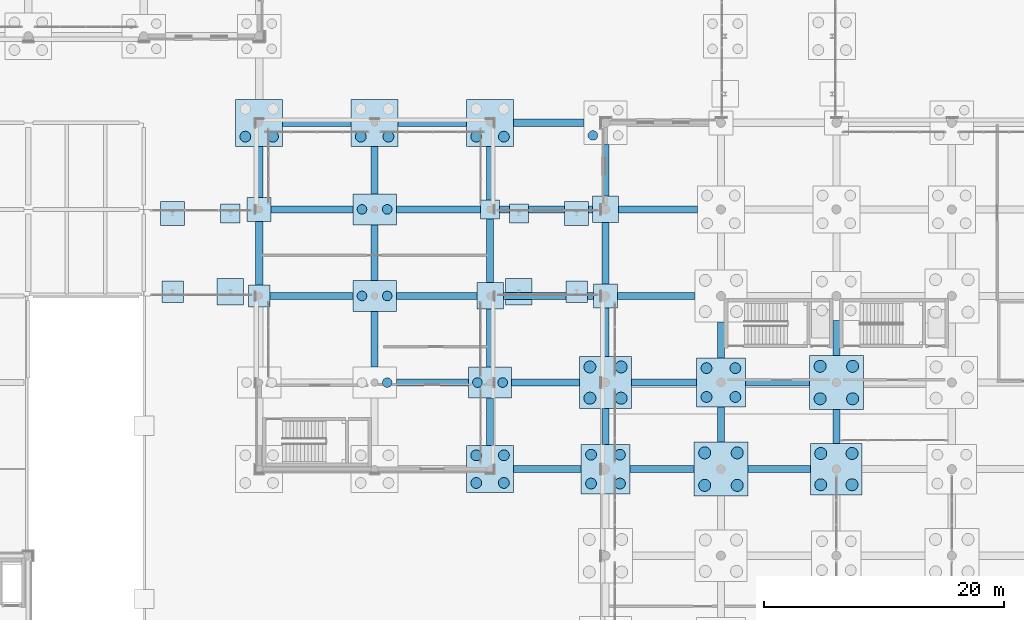
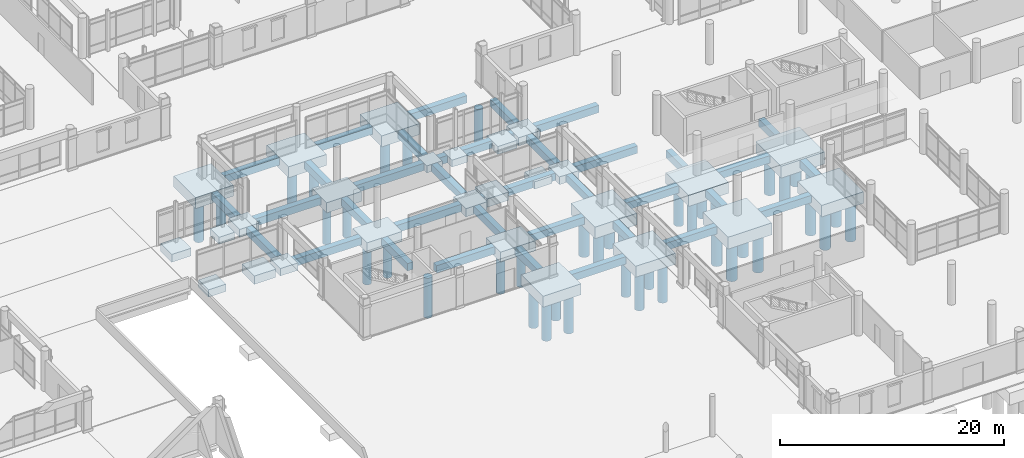
# One storey, part 2 of 196: 62 footings, 42 piles.
"""IFC4 building model written with IfcOpenShell, lengths in metres."""

from ifc_helpers import new_model, si_unit, direction, frame, origin, origin_2d, place, context, subcontext, project, spatial, rectangle, circle, extrude, material, material_profile, profile_set, type_object, element, save


model = new_model("IFC4")

# Units and contexts
model_context = context("Model", 3, precision=1e-05, world=origin(), true_north=direction((0.0, 1.0)))
body_context = subcontext(model_context, "Body", "Model", "MODEL_VIEW")
ifc_project = project(units=[si_unit("LENGTHUNIT", "METRE"), si_unit("AREAUNIT", "SQUARE_METRE"), si_unit("VOLUMEUNIT", "CUBIC_METRE"), si_unit("PLANEANGLEUNIT", "RADIAN"), si_unit("MASSUNIT", "GRAM", prefix="KILO")], contexts=[model_context])

# Site, building, storey
site_placement = place(None, origin())
site = spatial("IfcSite", under=ifc_project, at=site_placement, CompositionType="ELEMENT")
building_placement = place(site_placement, origin())
building = spatial("IfcBuilding", under=site, at=building_placement, Name="Asteropetra Specialist Clinic", CompositionType="ELEMENT")
storey_placement = place(building_placement, origin())
storey = spatial("IfcBuildingStorey", under=building, at=storey_placement, Name="L00", CompositionType="ELEMENT", Elevation=0.0)

# Footings
ifc_material_1 = material(Name="Concrete C35/45", Category="concrete")
ifc_material_profile_1 = material_profile(ifc_material_1, rectangle(XDim=0.60009765625, YDim=0.800048828125, at=origin_2d()), Name="FB 600x800")
ifc_profile_set_1 = profile_set([ifc_material_profile_1], Name="Concrete C35/45")
footing_type_1 = type_object("IfcFootingType", Name="FB-600x800", PredefinedType="FOOTING_BEAM", material=ifc_profile_set_1)
footing_1_placement = place(storey_placement, frame((77.699951171875, 48.0, -0.840087890625), z_axis=(1.0, 0.0, 0.0), x_axis=(0.0, 1.0, 0.0)))
element("IfcFooting", 1, at=footing_1_placement, inside=storey, type_object=footing_type_1, Name="Footing Tie Beam FB-0241", PredefinedType="FOOTING_BEAM", context=body_context, shape_type="SweptSolid", body=[
    extrude(rectangle(XDim=0.60009765625, YDim=0.800048828125, at=origin_2d()), origin(), (0.0, 0.0, 1.0), 6.900146484375),
])
footing_2_placement = place(storey_placement, frame((76.800048828125, 48.89990234375, -0.840087890625), z_axis=(0.0, 1.0, 0.0), x_axis=(-1.0, 0.0, 0.0)))
element("IfcFooting", 2, at=footing_2_placement, inside=storey, type_object=footing_type_1, Name="Footing Tie Beam FB-0242", PredefinedType="FOOTING_BEAM", context=body_context, shape_type="SweptSolid", body=[
    extrude(rectangle(XDim=0.60009765625, YDim=0.800048828125, at=origin_2d()), origin(), (0.0, 0.0, 1.0), 5.300048828125),
])
footing_3_placement = place(storey_placement, frame((77.800048828125, 55.199951171875, -0.840087890625), z_axis=(1.0, 0.0, 0.0), x_axis=(0.0, 1.0, 0.0)))
element("IfcFooting", 3, at=footing_3_placement, inside=storey, type_object=footing_type_1, Name="Footing Tie Beam FB-0243", PredefinedType="FOOTING_BEAM", context=body_context, shape_type="SweptSolid", body=[
    extrude(rectangle(XDim=0.60009765625, YDim=0.800048828125, at=origin_2d()), origin(), (0.0, 0.0, 1.0), 6.800048828125),
])
footing_4_placement = place(storey_placement, frame((76.800048828125, 56.199951171875, -0.840087890625), z_axis=(0.0, 1.0, 0.0), x_axis=(-1.0, 0.0, 0.0)))
element("IfcFooting", 4, at=footing_4_placement, inside=storey, type_object=footing_type_1, Name="Footing Tie Beam FB-0244", PredefinedType="FOOTING_BEAM", context=body_context, shape_type="SweptSolid", body=[
    extrude(rectangle(XDim=0.60009765625, YDim=0.800048828125, at=origin_2d()), origin(), (0.0, 0.0, 1.0), 4.25),
])
footing_5_placement = place(storey_placement, frame((78.75, 62.39990234375, -0.840087890625), z_axis=(1.0, 0.0, 0.0), x_axis=(0.0, 1.0, 0.0)))
element("IfcFooting", 5, at=footing_5_placement, inside=storey, type_object=footing_type_1, Name="Footing Tie Beam FB-0245", PredefinedType="FOOTING_BEAM", context=body_context, shape_type="SweptSolid", body=[
    extrude(rectangle(XDim=0.60009765625, YDim=0.800048828125, at=origin_2d()), origin(), (0.0, 0.0, 1.0), 5.699951171875),
])
footing_6_placement = place(storey_placement, frame((88.199951171875, 40.800048828125, -0.840087890625), z_axis=(1.0, 0.0, 0.0), x_axis=(0.0, 1.0, 0.0)))
element("IfcFooting", 6, at=footing_6_placement, inside=storey, type_object=footing_type_1, Name="Footing Tie Beam FB-0263", PredefinedType="FOOTING_BEAM", context=body_context, shape_type="SweptSolid", body=[
    extrude(rectangle(XDim=0.60009765625, YDim=0.800048828125, at=origin_2d()), origin(), (0.0, 0.0, 1.0), 6.0),
])
footing_7_placement = place(storey_placement, frame((86.39990234375, 42.10009765625, -0.840087890625), z_axis=(0.0, 1.0, 0.0), x_axis=(-1.0, 0.0, 0.0)))
element("IfcFooting", 7, at=footing_7_placement, inside=storey, type_object=footing_type_1, Name="Footing Tie Beam FB-0264", PredefinedType="FOOTING_BEAM", context=body_context, shape_type="SweptSolid", body=[
    extrude(rectangle(XDim=0.60009765625, YDim=0.800048828125, at=origin_2d()), origin(), (0.0, 0.0, 1.0), 4.599853515625),
])
footing_8_placement = place(storey_placement, frame((88.199951171875, 48.0, -0.840087890625), z_axis=(1.0, 0.0, 0.0), x_axis=(0.0, 1.0, 0.0)))
element("IfcFooting", 8, at=footing_8_placement, inside=storey, type_object=footing_type_1, Name="Footing Tie Beam FB-0265", PredefinedType="FOOTING_BEAM", context=body_context, shape_type="SweptSolid", body=[
    extrude(rectangle(XDim=0.60009765625, YDim=0.800048828125, at=origin_2d()), origin(), (0.0, 0.0, 1.0), 6.699951171875),
])
footing_9_placement = place(storey_placement, frame((86.39990234375, 49.300048828125, -0.840087890625), z_axis=(0.0, 1.0, 0.0), x_axis=(-1.0, 0.0, 0.0)))
element("IfcFooting", 9, at=footing_9_placement, inside=storey, type_object=footing_type_1, Name="Footing Tie Beam FB-0266", PredefinedType="FOOTING_BEAM", context=body_context, shape_type="SweptSolid", body=[
    extrude(rectangle(XDim=0.60009765625, YDim=0.800048828125, at=origin_2d()), origin(), (0.0, 0.0, 1.0), 4.599853515625),
])
footing_10_placement = place(storey_placement, frame((88.199951171875, 55.199951171875, -0.840087890625), z_axis=(1.0, 0.0, 0.0), x_axis=(0.0, 1.0, 0.0)))
element("IfcFooting", 10, at=footing_10_placement, inside=storey, type_object=footing_type_1, Name="Footing Tie Beam FB-0267", PredefinedType="FOOTING_BEAM", context=body_context, shape_type="SweptSolid", body=[
    extrude(rectangle(XDim=0.60009765625, YDim=0.800048828125, at=origin_2d()), origin(), (0.0, 0.0, 1.0), 7.0),
])
footing_11_placement = place(storey_placement, frame((86.39990234375, 56.5, -0.840087890625), z_axis=(0.0, 1.0, 0.0), x_axis=(-1.0, 0.0, 0.0)))
element("IfcFooting", 11, at=footing_11_placement, inside=storey, type_object=footing_type_1, Name="Footing Tie Beam FB-0268", PredefinedType="FOOTING_BEAM", context=body_context, shape_type="SweptSolid", body=[
    extrude(rectangle(XDim=0.60009765625, YDim=0.800048828125, at=origin_2d()), origin(), (0.0, 0.0, 1.0), 3.949951171875),
])
footing_12_placement = place(storey_placement, frame((88.35009765625, 62.39990234375, -0.840087890625), z_axis=(1.0, 0.0, 0.0), x_axis=(0.0, 1.0, 0.0)))
element("IfcFooting", 12, at=footing_12_placement, inside=storey, type_object=footing_type_1, Name="Footing Tie Beam FB-0269", PredefinedType="FOOTING_BEAM", context=body_context, shape_type="SweptSolid", body=[
    extrude(rectangle(XDim=0.60009765625, YDim=0.800048828125, at=origin_2d()), origin(), (0.0, 0.0, 1.0), 5.699951171875),
])
footing_13_placement = place(storey_placement, frame((97.949951171875, 33.60009765625, -0.840087890625), z_axis=(1.0, 0.0, 0.0), x_axis=(0.0, 1.0, 0.0)))
element("IfcFooting", 13, at=footing_13_placement, inside=storey, type_object=footing_type_1, Name="Footing Tie Beam FB-0280", PredefinedType="FOOTING_BEAM", context=body_context, shape_type="SweptSolid", body=[
    extrude(rectangle(XDim=0.60009765625, YDim=0.800048828125, at=origin_2d()), origin(), (0.0, 0.0, 1.0), 5.60009765625),
])
footing_14_placement = place(storey_placement, frame((96.0, 35.550048828125, -0.840087890625), z_axis=(0.0, 1.0, 0.0), x_axis=(-1.0, 0.0, 0.0)))
element("IfcFooting", 14, at=footing_14_placement, inside=storey, type_object=footing_type_1, Name="Footing Tie Beam FB-0281", PredefinedType="FOOTING_BEAM", context=body_context, shape_type="SweptSolid", body=[
    extrude(rectangle(XDim=0.60009765625, YDim=0.800048828125, at=origin_2d()), origin(), (0.0, 0.0, 1.0), 3.949951171875),
])
footing_15_placement = place(storey_placement, frame((97.800048828125, 40.800048828125, -0.840087890625), z_axis=(1.0, 0.0, 0.0), x_axis=(0.0, 1.0, 0.0)))
element("IfcFooting", 15, at=footing_15_placement, inside=storey, type_object=footing_type_1, Name="Footing Tie Beam FB-0282", PredefinedType="FOOTING_BEAM", context=body_context, shape_type="SweptSolid", body=[
    extrude(rectangle(XDim=0.60009765625, YDim=0.800048828125, at=origin_2d()), origin(), (0.0, 0.0, 1.0), 5.64990234375),
])
footing_16_placement = place(storey_placement, frame((96.0, 42.10009765625, -0.840087890625), z_axis=(0.0, 1.0, 0.0), x_axis=(-1.0, 0.0, 0.0)))
element("IfcFooting", 16, at=footing_16_placement, inside=storey, type_object=footing_type_1, Name="Footing Tie Beam FB-0283", PredefinedType="FOOTING_BEAM", context=body_context, shape_type="SweptSolid", body=[
    extrude(rectangle(XDim=0.60009765625, YDim=0.800048828125, at=origin_2d()), origin(), (0.0, 0.0, 1.0), 4.7998046875),
])
footing_17_placement = place(storey_placement, frame((97.10009765625, 48.0, -0.840087890625), z_axis=(1.0, 0.0, 0.0), x_axis=(0.0, 1.0, 0.0)))
element("IfcFooting", 17, at=footing_17_placement, inside=storey, type_object=footing_type_1, Name="Footing Tie Beam FB-0284", PredefinedType="FOOTING_BEAM", context=body_context, shape_type="SweptSolid", body=[
    extrude(rectangle(XDim=0.60009765625, YDim=0.800048828125, at=origin_2d()), origin(), (0.0, 0.0, 1.0), 7.5),
])
footing_18_placement = place(storey_placement, frame((96.0, 49.10009765625, -0.840087890625), z_axis=(0.0, 1.0, 0.0), x_axis=(-1.0, 0.0, 0.0)))
element("IfcFooting", 18, at=footing_18_placement, inside=storey, type_object=footing_type_1, Name="Footing Tie Beam FB-0285", PredefinedType="FOOTING_BEAM", context=body_context, shape_type="SweptSolid", body=[
    extrude(rectangle(XDim=0.60009765625, YDim=0.800048828125, at=origin_2d()), origin(), (0.0, 0.0, 1.0), 5.2998046875),
])
footing_19_placement = place(storey_placement, frame((96.800048828125, 55.199951171875, -0.840087890625), z_axis=(1.0, 0.0, 0.0), x_axis=(0.0, 1.0, 0.0)))
element("IfcFooting", 19, at=footing_19_placement, inside=storey, type_object=footing_type_1, Name="Footing Tie Beam FB-0286", PredefinedType="FOOTING_BEAM", context=body_context, shape_type="SweptSolid", body=[
    extrude(rectangle(XDim=0.60009765625, YDim=0.800048828125, at=origin_2d()), origin(), (0.0, 0.0, 1.0), 7.699951171875),
])
footing_20_placement = place(storey_placement, frame((96.0, 56.0, -0.840087890625), z_axis=(0.0, 1.0, 0.0), x_axis=(-1.0, 0.0, 0.0)))
element("IfcFooting", 20, at=footing_20_placement, inside=storey, type_object=footing_type_1, Name="Footing Tie Beam FB-0287", PredefinedType="FOOTING_BEAM", context=body_context, shape_type="SweptSolid", body=[
    extrude(rectangle(XDim=0.60009765625, YDim=0.800048828125, at=origin_2d()), origin(), (0.0, 0.0, 1.0), 4.449951171875),
])
footing_21_placement = place(storey_placement, frame((97.949951171875, 62.39990234375, -0.840087890625), z_axis=(1.0, 0.0, 0.0), x_axis=(0.0, 1.0, 0.0)))
element("IfcFooting", 21, at=footing_21_placement, inside=storey, type_object=footing_type_1, Name="Footing Tie Beam FB-0288", PredefinedType="FOOTING_BEAM", context=body_context, shape_type="SweptSolid", body=[
    extrude(rectangle(XDim=0.60009765625, YDim=0.800048828125, at=origin_2d()), origin(), (0.0, 0.0, 1.0), 5.85009765625),
])
footing_22_placement = place(storey_placement, frame((107.64990234375, 33.60009765625, -0.840087890625), z_axis=(1.0, 0.0, 0.0), x_axis=(0.0, 1.0, 0.0)))
element("IfcFooting", 22, at=footing_22_placement, inside=storey, type_object=footing_type_1, Name="Footing Tie Beam FB-0306", PredefinedType="FOOTING_BEAM", context=body_context, shape_type="SweptSolid", body=[
    extrude(rectangle(XDim=0.60009765625, YDim=0.800048828125, at=origin_2d()), origin(), (0.0, 0.0, 1.0), 5.300048828125),
])
footing_23_placement = place(storey_placement, frame((105.60009765625, 35.64990234375, -0.840087890625), z_axis=(0.0, 1.0, 0.0), x_axis=(-1.0, 0.0, 0.0)))
element("IfcFooting", 23, at=footing_23_placement, inside=storey, type_object=footing_type_1, Name="Footing Tie Beam FB-0307", PredefinedType="FOOTING_BEAM", context=body_context, shape_type="SweptSolid", body=[
    extrude(rectangle(XDim=0.60009765625, YDim=0.800048828125, at=origin_2d()), origin(), (0.0, 0.0, 1.0), 3.0),
])
footing_24_placement = place(storey_placement, frame((107.75, 40.800048828125, -0.840087890625), z_axis=(1.0, 0.0, 0.0), x_axis=(0.0, 1.0, 0.0)))
element("IfcFooting", 24, at=footing_24_placement, inside=storey, type_object=footing_type_1, Name="Footing Tie Beam FB-0308", PredefinedType="FOOTING_BEAM", context=body_context, shape_type="SweptSolid", body=[
    extrude(rectangle(XDim=0.60009765625, YDim=0.800048828125, at=origin_2d()), origin(), (0.0, 0.0, 1.0), 5.39990234375),
])
footing_25_placement = place(storey_placement, frame((105.60009765625, 42.949951171875, -0.840087890625), z_axis=(0.0, 1.0, 0.0), x_axis=(-1.0, 0.0, 0.0)))
element("IfcFooting", 25, at=footing_25_placement, inside=storey, type_object=footing_type_1, Name="Footing Tie Beam FB-0309", PredefinedType="FOOTING_BEAM", context=body_context, shape_type="SweptSolid", body=[
    extrude(rectangle(XDim=0.60009765625, YDim=0.800048828125, at=origin_2d()), origin(), (0.0, 0.0, 1.0), 4.050048828125),
])
footing_26_placement = place(storey_placement, frame((106.60009765625, 48.0, -0.840087890625), z_axis=(1.0, 0.0, 0.0), x_axis=(0.0, 1.0, 0.0)))
element("IfcFooting", 26, at=footing_26_placement, inside=storey, type_object=footing_type_1, Name="Footing Tie Beam FB-0310", PredefinedType="FOOTING_BEAM", context=body_context, shape_type="SweptSolid", body=[
    extrude(rectangle(XDim=0.60009765625, YDim=0.800048828125, at=origin_2d()), origin(), (0.0, 0.0, 1.0), 6.449951171875),
])
footing_27_placement = place(storey_placement, frame((105.60009765625, 49.0, -0.840087890625), z_axis=(0.0, 1.0, 0.0), x_axis=(-1.0, 0.0, 0.0)))
element("IfcFooting", 27, at=footing_27_placement, inside=storey, type_object=footing_type_1, Name="Footing Tie Beam FB-0311", PredefinedType="FOOTING_BEAM", context=body_context, shape_type="SweptSolid", body=[
    extrude(rectangle(XDim=0.60009765625, YDim=0.800048828125, at=origin_2d()), origin(), (0.0, 0.0, 1.0), 5.10009765625),
])
footing_28_placement = place(storey_placement, frame((106.699951171875, 55.199951171875, -0.840087890625), z_axis=(1.0, 0.0, 0.0), x_axis=(0.0, 1.0, 0.0)))
element("IfcFooting", 28, at=footing_28_placement, inside=storey, type_object=footing_type_1, Name="Footing Tie Beam FB-0312", PredefinedType="FOOTING_BEAM", context=body_context, shape_type="SweptSolid", body=[
    extrude(rectangle(XDim=0.60009765625, YDim=0.800048828125, at=origin_2d()), origin(), (0.0, 0.0, 1.0), 6.550048828125),
])
footing_29_placement = place(storey_placement, frame((105.60009765625, 56.300048828125, -0.840087890625), z_axis=(0.0, 1.0, 0.0), x_axis=(-1.0, 0.0, 0.0)))
element("IfcFooting", 29, at=footing_29_placement, inside=storey, type_object=footing_type_1, Name="Footing Tie Beam FB-0313", PredefinedType="FOOTING_BEAM", context=body_context, shape_type="SweptSolid", body=[
    extrude(rectangle(XDim=0.60009765625, YDim=0.800048828125, at=origin_2d()), origin(), (0.0, 0.0, 1.0), 4.300048828125),
])
footing_30_placement = place(storey_placement, frame((117.449951171875, 33.60009765625, -0.840087890625), z_axis=(1.0, 0.0, 0.0), x_axis=(0.0, 1.0, 0.0)))
element("IfcFooting", 30, at=footing_30_placement, inside=storey, type_object=footing_type_1, Name="Footing Tie Beam FB-0330", PredefinedType="FOOTING_BEAM", context=body_context, shape_type="SweptSolid", body=[
    extrude(rectangle(XDim=0.60009765625, YDim=0.800048828125, at=origin_2d()), origin(), (0.0, 0.0, 1.0), 5.199951171875),
])
footing_31_placement = place(storey_placement, frame((115.199951171875, 35.85009765625, -0.840087890625), z_axis=(0.0, 1.0, 0.0), x_axis=(-1.0, 0.0, 0.0)))
element("IfcFooting", 31, at=footing_31_placement, inside=storey, type_object=footing_type_1, Name="Footing Tie Beam FB-0331", PredefinedType="FOOTING_BEAM", context=body_context, shape_type="SweptSolid", body=[
    extrude(rectangle(XDim=0.60009765625, YDim=0.800048828125, at=origin_2d()), origin(), (0.0, 0.0, 1.0), 2.89990234375),
])
footing_32_placement = place(storey_placement, frame((117.25, 40.800048828125, -0.840087890625), z_axis=(1.0, 0.0, 0.0), x_axis=(0.0, 1.0, 0.0)))
element("IfcFooting", 32, at=footing_32_placement, inside=storey, type_object=footing_type_1, Name="Footing Tie Beam FB-0332", PredefinedType="FOOTING_BEAM", context=body_context, shape_type="SweptSolid", body=[
    extrude(rectangle(XDim=0.60009765625, YDim=0.800048828125, at=origin_2d()), origin(), (0.0, 0.0, 1.0), 5.300048828125),
])
footing_33_placement = place(storey_placement, frame((115.199951171875, 42.85009765625, -0.840087890625), z_axis=(0.0, 1.0, 0.0), x_axis=(-1.0, 0.0, 0.0)))
element("IfcFooting", 33, at=footing_33_placement, inside=storey, type_object=footing_type_1, Name="Footing Tie Beam FB-0333", PredefinedType="FOOTING_BEAM", context=body_context, shape_type="SweptSolid", body=[
    extrude(rectangle(XDim=0.60009765625, YDim=0.800048828125, at=origin_2d()), origin(), (0.0, 0.0, 1.0), 3.0),
])
footing_34_placement = place(storey_placement, frame((124.800048828125, 35.75, -0.840087890625), z_axis=(0.0, 1.0, 0.0), x_axis=(-1.0, 0.0, 0.0)))
element("IfcFooting", 34, at=footing_34_placement, inside=storey, type_object=footing_type_1, Name="Footing Tie Beam FB-0355", PredefinedType="FOOTING_BEAM", context=body_context, shape_type="SweptSolid", body=[
    extrude(rectangle(XDim=0.60009765625, YDim=0.800048828125, at=origin_2d()), origin(), (0.0, 0.0, 1.0), 2.800048828125),
])
footing_35_placement = place(storey_placement, frame((124.800048828125, 43.050048828125, -0.840087890625), z_axis=(0.0, 1.0, 0.0), x_axis=(-1.0, 0.0, 0.0)))
element("IfcFooting", 35, at=footing_35_placement, inside=storey, type_object=footing_type_1, Name="Footing Tie Beam FB-0357", PredefinedType="FOOTING_BEAM", context=body_context, shape_type="SweptSolid", body=[
    extrude(rectangle(XDim=0.60009765625, YDim=0.800048828125, at=origin_2d()), origin(), (0.0, 0.0, 1.0), 2.89990234375),
])
ifc_material_2 = material(Name="Concrete C35/45", Category="concrete")
footing_type_2 = type_object("IfcFootingType", Name="PC-2600", PredefinedType="PILE_CAP", material=ifc_material_2)
for number, where, z_axis, x_axis, name in (
    (36, (86.39990234375, 48.0, -1.5400390625), (0.0, 0.0, 1.0), (1.0, 0.0, 0.0), "Pile Cap PC-01-173"),
    (37, (86.39990234375, 55.199951171875, -1.5400390625), (0.0, 0.0, 1.0), (1.0, 0.0, 0.0), "Pile Cap PC-01-174"),
    (38, (96.0, 40.800048828125, -1.5400390625), (0.0, 0.0, 1.0), (1.0, 0.0, 0.0), "Pile Cap PC-01-186"),
):
    element("IfcFooting", number, at=place(storey_placement, frame(where, z_axis=z_axis, x_axis=x_axis)), inside=storey, type_object=footing_type_2, Name=name, PredefinedType="PILE_CAP", context=body_context, shape_type="SweptSolid", body=[
        extrude(rectangle(XDim=3.60009765625, YDim=2.60009765625, at=origin_2d()), origin(), (0.0, 0.0, 1.0), 1.10009765625),
    ])
ifc_material_3 = material(Name="Concrete C35/45", Category="concrete")
footing_type_3 = type_object("IfcFootingType", Name="PC-3000", PredefinedType="PILE_CAP", material=ifc_material_3)
for number, where, z_axis, x_axis, name in (
    (39, (76.800048828125, 62.39990234375, -1.64013671875), (0.0, 0.0, 1.0), (1.0, 0.0, 0.0), "Pile Cap PC-03-155"),
    (40, (86.39990234375, 62.39990234375, -1.64013671875), (0.0, 0.0, 1.0), (1.0, 0.0, 0.0), "Pile Cap PC-03-175"),
    (41, (96.0, 33.60009765625, -1.64013671875), (0.0, 0.0, 1.0), (1.0, 0.0, 0.0), "Pile Cap PC-03-185"),
    (42, (96.0, 62.39990234375, -1.64013671875), (0.0, 0.0, 1.0), (1.0, 0.0, 0.0), "Pile Cap PC-03-189"),
):
    element("IfcFooting", number, at=place(storey_placement, frame(where, z_axis=z_axis, x_axis=x_axis)), inside=storey, type_object=footing_type_3, Name=name, PredefinedType="PILE_CAP", context=body_context, shape_type="SweptSolid", body=[
        extrude(rectangle(XDim=3.89990234375, YDim=3.89990234375, at=origin_2d()), origin(), (0.0, 0.0, 1.0), 1.199951171875),
    ])
ifc_material_4 = material(Name="Concrete C35/45", Category="concrete")
footing_type_4 = type_object("IfcFootingType", Name="PC-3200", PredefinedType="PILE_CAP", material=ifc_material_4)
for number, where, z_axis, x_axis, name in (
    (43, (105.60009765625, 33.60009765625, -1.64013671875), (0.0, 0.0, 1.0), (1.0, 0.0, 0.0), "Pile Cap PC-04-204"),
    (44, (115.199951171875, 40.800048828125, -1.64013671875), (0.0, 0.0, 1.0), (1.0, 0.0, 0.0), "Pile Cap PC-04-219"),
):
    element("IfcFooting", number, at=place(storey_placement, frame(where, z_axis=z_axis, x_axis=x_axis)), inside=storey, type_object=footing_type_4, Name=name, PredefinedType="PILE_CAP", context=body_context, shape_type="SweptSolid", body=[
        extrude(rectangle(XDim=4.10009765625, YDim=4.10009765625, at=origin_2d()), origin(), (0.0, 0.0, 1.0), 1.199951171875),
    ])
ifc_material_5 = material(Name="Concrete C35/45", Category="concrete")
footing_type_5 = type_object("IfcFootingType", Name="PC-3400", PredefinedType="PILE_CAP", material=ifc_material_5)
for number, where, z_axis, x_axis, name in (
    (45, (105.60009765625, 40.800048828125, -1.68994140625), (0.0, 0.0, 1.0), (1.0, 0.0, 0.0), "Pile Cap PC-05-205"),
    (46, (124.800048828125, 33.60009765625, -1.68994140625), (0.0, 0.0, 1.0), (1.0, 0.0, 0.0), "Pile Cap PC-05-238"),
):
    element("IfcFooting", number, at=place(storey_placement, frame(where, z_axis=z_axis, x_axis=x_axis)), inside=storey, type_object=footing_type_5, Name=name, PredefinedType="PILE_CAP", context=body_context, shape_type="SweptSolid", body=[
        extrude(rectangle(XDim=4.300048828125, YDim=4.300048828125, at=origin_2d()), origin(), (0.0, 0.0, 1.0), 1.25),
    ])
ifc_material_6 = material(Name="Concrete C35/45", Category="concrete")
footing_type_6 = type_object("IfcFootingType", Name="PC-3600", PredefinedType="PILE_CAP", material=ifc_material_6)
for number, where, z_axis, x_axis, name in (
    (47, (115.199951171875, 33.60009765625, -1.740234375), (0.0, 0.0, 1.0), (1.0, 0.0, 0.0), "Pile Cap PC-06-218"),
    (48, (124.800048828125, 40.800048828125, -1.740234375), (0.0, 0.0, 1.0), (1.0, 0.0, 0.0), "Pile Cap PC-06-239"),
):
    element("IfcFooting", number, at=place(storey_placement, frame(where, z_axis=z_axis, x_axis=x_axis)), inside=storey, type_object=footing_type_6, Name=name, PredefinedType="PILE_CAP", context=body_context, shape_type="SweptSolid", body=[
        extrude(rectangle(XDim=4.5, YDim=4.5, at=origin_2d()), origin(), (0.0, 0.0, 1.0), 1.300048828125),
    ])
ifc_material_7 = material(Name="Concrete C35/45", Category="concrete")
footing_type_7 = type_object("IfcFootingType", Name="PF-1600", PredefinedType="PAD_FOOTING", material=ifc_material_7)
for number, where, z_axis, x_axis, name in (
    (49, (74.39990234375, 54.85009765625, -1.18994140625), (0.0, 0.0, 1.0), (1.0, 0.0, 0.0), "Pad Footing PF-01-148"),
    (50, (96.0, 55.199951171875, -1.18994140625), (0.0, 0.0, 1.0), (1.0, 0.0, 0.0), "Pad Footing PF-01-188"),
    (51, (98.39990234375, 54.85009765625, -1.18994140625), (0.0, 0.0, 1.0), (1.0, 0.0, 0.0), "Pad Footing PF-01-196"),
):
    element("IfcFooting", number, at=place(storey_placement, frame(where, z_axis=z_axis, x_axis=x_axis)), inside=storey, type_object=footing_type_7, Name=name, PredefinedType="PAD_FOOTING", context=body_context, shape_type="SweptSolid", body=[
        extrude(rectangle(XDim=1.60009765625, YDim=1.60009765625, at=origin_2d()), origin(), (0.0, 0.0, 1.0), 0.75),
    ])
ifc_material_8 = material(Name="Concrete C35/45", Category="concrete")
footing_type_8 = type_object("IfcFootingType", Name="PF-1800", PredefinedType="PAD_FOOTING", material=ifc_material_8)
for number, where, z_axis, x_axis, name in (
    (52, (69.60009765625, 48.35009765625, -1.240234375), (0.0, 0.0, 1.0), (1.0, 0.0, 0.0), "Pad Footing PF-02-145"),
    (53, (76.800048828125, 48.0, -1.240234375), (0.0, 0.0, 1.0), (1.0, 0.0, 0.0), "Pad Footing PF-02-153"),
    (54, (103.199951171875, 48.35009765625, -1.240234375), (0.0, 0.0, 1.0), (1.0, 0.0, 0.0), "Pad Footing PF-02-197"),
):
    element("IfcFooting", number, at=place(storey_placement, frame(where, z_axis=z_axis, x_axis=x_axis)), inside=storey, type_object=footing_type_8, Name=name, PredefinedType="PAD_FOOTING", context=body_context, shape_type="SweptSolid", body=[
        extrude(rectangle(XDim=1.800048828125, YDim=1.800048828125, at=origin_2d()), origin(), (0.0, 0.0, 1.0), 0.800048828125),
    ])
ifc_material_9 = material(Name="Concrete C35/45", Category="concrete")
footing_type_9 = type_object("IfcFootingType", Name="PF-2000", PredefinedType="PAD_FOOTING", material=ifc_material_9)
for number, where, z_axis, x_axis, name in (
    (55, (69.60009765625, 54.85009765625, -1.2900390625), (0.0, 0.0, 1.0), (1.0, 0.0, 0.0), "Pad Footing PF-03-146"),
    (56, (76.800048828125, 55.199951171875, -1.2900390625), (0.0, 0.0, 1.0), (1.0, 0.0, 0.0), "Pad Footing PF-03-154"),
    (57, (103.199951171875, 54.85009765625, -1.2900390625), (0.0, 0.0, 1.0), (1.0, 0.0, 0.0), "Pad Footing PF-03-198"),
    (58, (105.60009765625, 48.0, -1.2900390625), (0.0, 0.0, 1.0), (1.0, 0.0, 0.0), "Pad Footing PF-03-206"),
):
    element("IfcFooting", number, at=place(storey_placement, frame(where, z_axis=z_axis, x_axis=x_axis)), inside=storey, type_object=footing_type_9, Name=name, PredefinedType="PAD_FOOTING", context=body_context, shape_type="SweptSolid", body=[
        extrude(rectangle(XDim=2.0, YDim=2.0, at=origin_2d()), origin(), (0.0, 0.0, 1.0), 0.85009765625),
    ])
ifc_material_10 = material(Name="Concrete C35/45", Category="concrete")
footing_type_10 = type_object("IfcFootingType", Name="PF-2200", PredefinedType="PAD_FOOTING", material=ifc_material_10)
for number, where, z_axis, x_axis, name in (
    (59, (74.39990234375, 48.35009765625, -1.33984375), (0.0, 0.0, 1.0), (1.0, 0.0, 0.0), "Pad Footing PF-04-147"),
    (60, (96.0, 48.0, -1.33984375), (0.0, 0.0, 1.0), (1.0, 0.0, 0.0), "Pad Footing PF-04-187"),
    (61, (98.39990234375, 48.35009765625, -1.33984375), (0.0, 0.0, 1.0), (1.0, 0.0, 0.0), "Pad Footing PF-04-195"),
    (62, (105.60009765625, 55.199951171875, -1.33984375), (0.0, 0.0, 1.0), (1.0, 0.0, 0.0), "Pad Footing PF-04-207"),
):
    element("IfcFooting", number, at=place(storey_placement, frame(where, z_axis=z_axis, x_axis=x_axis)), inside=storey, type_object=footing_type_10, Name=name, PredefinedType="PAD_FOOTING", context=body_context, shape_type="SweptSolid", body=[
        extrude(rectangle(XDim=2.199951171875, YDim=2.199951171875, at=origin_2d()), origin(), (0.0, 0.0, 1.0), 0.89990234375),
    ])

# Piles
ifc_material_11 = material(Name="Concrete C35/45", Category="concrete")
ifc_material_profile_2 = material_profile(ifc_material_11, circle(Radius=0.5, at=origin_2d()), Name="PILE D1000")
ifc_profile_set_2 = profile_set([ifc_material_profile_2], Name="Concrete C35/45")
pile_type_1 = type_object("IfcPileType", Name="PILE-B1000", PredefinedType="BORED", material=ifc_profile_set_2)
for number, where, z_axis, x_axis, name in (
    (63, (104.300048828125, 39.5, -1.590087890625), (0.0, 0.0, -1.0), (1.0, 0.0, 0.0), "Bored Pile PPL03-205-1"),
    (64, (106.89990234375, 39.5, -1.590087890625), (0.0, 0.0, -1.0), (1.0, 0.0, 0.0), "Bored Pile PPL03-205-2"),
    (65, (104.300048828125, 42.10009765625, -1.590087890625), (0.0, 0.0, -1.0), (1.0, 0.0, 0.0), "Bored Pile PPL03-205-3"),
    (66, (106.89990234375, 42.10009765625, -1.590087890625), (0.0, 0.0, -1.0), (1.0, 0.0, 0.0), "Bored Pile PPL03-205-4"),
):
    element("IfcPile", number, at=place(storey_placement, frame(where, z_axis=z_axis, x_axis=x_axis)), inside=storey, type_object=pile_type_1, Name=name, PredefinedType="BORED", context=body_context, shape_type="SweptSolid", body=[
        extrude(circle(Radius=0.5, at=origin_2d()), origin(), (0.0, 0.0, 1.0), 4.2099609375),
    ])
for number, where, z_axis, x_axis, name in (
    (67, (113.85009765625, 32.25, -1.639892578125), (0.0, 0.0, -1.0), (1.0, 0.0, 0.0), "Bored Pile PPL03-218-1"),
    (68, (116.550048828125, 32.25, -1.639892578125), (0.0, 0.0, -1.0), (1.0, 0.0, 0.0), "Bored Pile PPL03-218-2"),
    (69, (113.85009765625, 34.949951171875, -1.639892578125), (0.0, 0.0, -1.0), (1.0, 0.0, 0.0), "Bored Pile PPL03-218-3"),
    (70, (116.550048828125, 34.949951171875, -1.639892578125), (0.0, 0.0, -1.0), (1.0, 0.0, 0.0), "Bored Pile PPL03-218-4"),
):
    element("IfcPile", number, at=place(storey_placement, frame(where, z_axis=z_axis, x_axis=x_axis)), inside=storey, type_object=pile_type_1, Name=name, PredefinedType="BORED", context=body_context, shape_type="SweptSolid", body=[
        extrude(circle(Radius=0.5, at=origin_2d()), origin(), (0.0, 0.0, 1.0), 4.159912109375),
    ])
for number, where, z_axis, x_axis, name in (
    (71, (123.5, 32.300048828125, -1.590087890625), (0.0, 0.0, -1.0), (1.0, 0.0, 0.0), "Bored Pile PPL03-238-1"),
    (72, (126.10009765625, 32.300048828125, -1.590087890625), (0.0, 0.0, -1.0), (1.0, 0.0, 0.0), "Bored Pile PPL03-238-2"),
    (73, (123.5, 34.89990234375, -1.590087890625), (0.0, 0.0, -1.0), (1.0, 0.0, 0.0), "Bored Pile PPL03-238-3"),
    (74, (126.10009765625, 34.89990234375, -1.590087890625), (0.0, 0.0, -1.0), (1.0, 0.0, 0.0), "Bored Pile PPL03-238-4"),
):
    element("IfcPile", number, at=place(storey_placement, frame(where, z_axis=z_axis, x_axis=x_axis)), inside=storey, type_object=pile_type_1, Name=name, PredefinedType="BORED", context=body_context, shape_type="SweptSolid", body=[
        extrude(circle(Radius=0.5, at=origin_2d()), origin(), (0.0, 0.0, 1.0), 4.2099609375),
    ])
for number, where, z_axis, x_axis, name in (
    (75, (123.449951171875, 39.449951171875, -1.639892578125), (0.0, 0.0, -1.0), (1.0, 0.0, 0.0), "Bored Pile PPL03-239-1"),
    (76, (126.14990234375, 39.449951171875, -1.639892578125), (0.0, 0.0, -1.0), (1.0, 0.0, 0.0), "Bored Pile PPL03-239-2"),
    (77, (123.449951171875, 42.14990234375, -1.639892578125), (0.0, 0.0, -1.0), (1.0, 0.0, 0.0), "Bored Pile PPL03-239-3"),
    (78, (126.14990234375, 42.14990234375, -1.639892578125), (0.0, 0.0, -1.0), (1.0, 0.0, 0.0), "Bored Pile PPL03-239-4"),
):
    element("IfcPile", number, at=place(storey_placement, frame(where, z_axis=z_axis, x_axis=x_axis)), inside=storey, type_object=pile_type_1, Name=name, PredefinedType="BORED", context=body_context, shape_type="SweptSolid", body=[
        extrude(circle(Radius=0.5, at=origin_2d()), origin(), (0.0, 0.0, 1.0), 4.159912109375),
    ])
ifc_material_12 = material(Name="Concrete C35/45", Category="concrete")
ifc_material_profile_3 = material_profile(ifc_material_12, circle(Radius=0.39990234375, at=origin_2d()), Name="PILE D800")
ifc_profile_set_3 = profile_set([ifc_material_profile_3], Name="Concrete C35/45")
pile_type_2 = type_object("IfcPileType", Name="PILE-B800", PredefinedType="BORED", material=ifc_profile_set_3)
for number, where, z_axis, x_axis, name in (
    (79, (87.449951171875, 40.800048828125, -1.43994140625), (0.0, 0.0, -1.0), (1.0, 0.0, 0.0), "Bored Pile PPL01-172-2"),
    (80, (85.35009765625, 48.0, -1.43994140625), (0.0, 0.0, -1.0), (1.0, 0.0, 0.0), "Bored Pile PPL01-173-1"),
    (81, (87.449951171875, 48.0, -1.43994140625), (0.0, 0.0, -1.0), (1.0, 0.0, 0.0), "Bored Pile PPL01-173-2"),
    (82, (85.35009765625, 55.199951171875, -1.43994140625), (0.0, 0.0, -1.0), (1.0, 0.0, 0.0), "Bored Pile PPL01-174-1"),
    (83, (87.449951171875, 55.199951171875, -1.43994140625), (0.0, 0.0, -1.0), (1.0, 0.0, 0.0), "Bored Pile PPL01-174-2"),
    (84, (94.949951171875, 40.800048828125, -1.43994140625), (0.0, 0.0, -1.0), (1.0, 0.0, 0.0), "Bored Pile PPL01-186-1"),
    (85, (97.050048828125, 40.800048828125, -1.43994140625), (0.0, 0.0, -1.0), (1.0, 0.0, 0.0), "Bored Pile PPL01-186-2"),
):
    element("IfcPile", number, at=place(storey_placement, frame(where, z_axis=z_axis, x_axis=x_axis)), inside=storey, type_object=pile_type_2, Name=name, PredefinedType="BORED", context=body_context, shape_type="SweptSolid", body=[
        extrude(circle(Radius=0.39990234375, at=origin_2d()), origin(), (0.0, 0.0, 1.0), 4.360107421875),
    ])
pile_placement = place(storey_placement, frame((104.550048828125, 61.35009765625, -1.489990234375), z_axis=(0.0, 0.0, -1.0), x_axis=(1.0, 0.0, 0.0)))
element("IfcPile", 86, at=pile_placement, inside=storey, type_object=pile_type_2, Name="Bored Pile PPL01-208-1", PredefinedType="BORED", context=body_context, shape_type="SweptSolid", body=[
    extrude(circle(Radius=0.39990234375, at=origin_2d()), origin(), (0.0, 0.0, 1.0), 4.31005859375),
])
ifc_material_13 = material(Name="Concrete C35/45", Category="concrete")
ifc_material_profile_4 = material_profile(ifc_material_13, circle(Radius=0.449951171875, at=origin_2d()), Name="PILE D900")
ifc_profile_set_4 = profile_set([ifc_material_profile_4], Name="Concrete C35/45")
pile_type_3 = type_object("IfcPileType", Name="PILE-B900", PredefinedType="BORED", material=ifc_profile_set_4)
for number, where, z_axis, x_axis, name in (
    (87, (75.64990234375, 61.25, -1.5400390625), (0.0, 0.0, -1.0), (1.0, 0.0, 0.0), "Bored Pile PPL02-155-1"),
    (88, (77.949951171875, 61.25, -1.5400390625), (0.0, 0.0, -1.0), (1.0, 0.0, 0.0), "Bored Pile PPL02-155-2"),
    (89, (85.25, 61.25, -1.5400390625), (0.0, 0.0, -1.0), (1.0, 0.0, 0.0), "Bored Pile PPL02-175-1"),
    (90, (87.550048828125, 61.25, -1.5400390625), (0.0, 0.0, -1.0), (1.0, 0.0, 0.0), "Bored Pile PPL02-175-2"),
    (91, (94.85009765625, 32.449951171875, -1.5400390625), (0.0, 0.0, -1.0), (1.0, 0.0, 0.0), "Bored Pile PPL02-185-1"),
    (92, (97.14990234375, 32.449951171875, -1.5400390625), (0.0, 0.0, -1.0), (1.0, 0.0, 0.0), "Bored Pile PPL02-185-2"),
    (93, (94.85009765625, 34.75, -1.5400390625), (0.0, 0.0, -1.0), (1.0, 0.0, 0.0), "Bored Pile PPL02-185-3"),
    (94, (97.14990234375, 34.75, -1.5400390625), (0.0, 0.0, -1.0), (1.0, 0.0, 0.0), "Bored Pile PPL02-185-4"),
    (95, (94.85009765625, 61.25, -1.5400390625), (0.0, 0.0, -1.0), (1.0, 0.0, 0.0), "Bored Pile PPL02-189-1"),
    (96, (97.14990234375, 61.25, -1.5400390625), (0.0, 0.0, -1.0), (1.0, 0.0, 0.0), "Bored Pile PPL02-189-2"),
    (97, (104.39990234375, 32.39990234375, -1.5400390625), (0.0, 0.0, -1.0), (1.0, 0.0, 0.0), "Bored Pile PPL02-204-1"),
    (98, (106.800048828125, 32.39990234375, -1.5400390625), (0.0, 0.0, -1.0), (1.0, 0.0, 0.0), "Bored Pile PPL02-204-2"),
    (99, (104.39990234375, 34.800048828125, -1.5400390625), (0.0, 0.0, -1.0), (1.0, 0.0, 0.0), "Bored Pile PPL02-204-3"),
    (100, (106.800048828125, 34.800048828125, -1.5400390625), (0.0, 0.0, -1.0), (1.0, 0.0, 0.0), "Bored Pile PPL02-204-4"),
    (101, (114.0, 39.60009765625, -1.5400390625), (0.0, 0.0, -1.0), (1.0, 0.0, 0.0), "Bored Pile PPL02-219-1"),
    (102, (116.39990234375, 39.60009765625, -1.5400390625), (0.0, 0.0, -1.0), (1.0, 0.0, 0.0), "Bored Pile PPL02-219-2"),
    (103, (114.0, 42.0, -1.5400390625), (0.0, 0.0, -1.0), (1.0, 0.0, 0.0), "Bored Pile PPL02-219-3"),
    (104, (116.39990234375, 42.0, -1.5400390625), (0.0, 0.0, -1.0), (1.0, 0.0, 0.0), "Bored Pile PPL02-219-4"),
):
    element("IfcPile", number, at=place(storey_placement, frame(where, z_axis=z_axis, x_axis=x_axis)), inside=storey, type_object=pile_type_3, Name=name, PredefinedType="BORED", context=body_context, shape_type="SweptSolid", body=[
        extrude(circle(Radius=0.449951171875, at=origin_2d()), origin(), (0.0, 0.0, 1.0), 4.260009765625),
    ])

save(model, "model.ifc")
